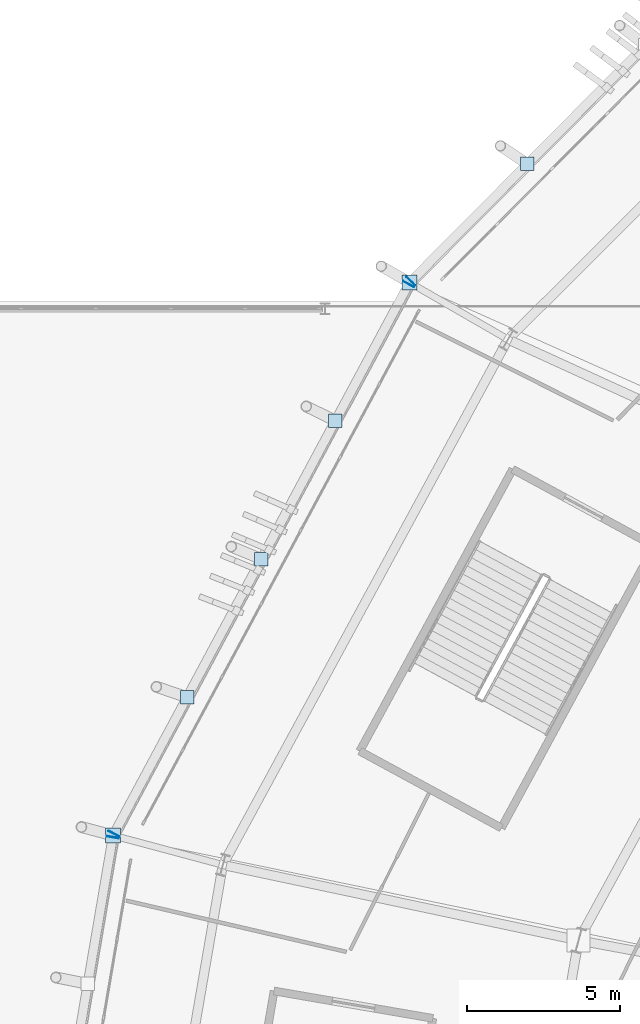
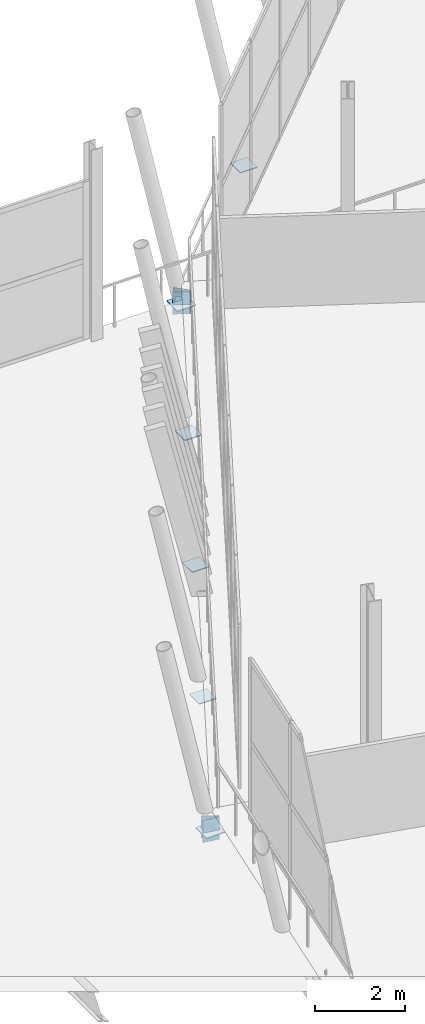
# One storey, part 100 of 168: 10 plates.
"""IFC4 building model written with IfcOpenShell, lengths in metres."""

from ifc_helpers import new_model, si_unit, direction, frame, origin, origin_2d, place, context, subcontext, project, spatial, rectangle, extrude, material, layer, layer_set, type_object, element, save


model = new_model("IFC4")

# Units and contexts
model_context = context("Model", 3, precision=1e-05, world=origin(), true_north=direction((0.0, 1.0)))
body_context = subcontext(model_context, "Body", "Model", "MODEL_VIEW")
ifc_project = project(units=[si_unit("LENGTHUNIT", "METRE"), si_unit("AREAUNIT", "SQUARE_METRE"), si_unit("VOLUMEUNIT", "CUBIC_METRE"), si_unit("PLANEANGLEUNIT", "RADIAN"), si_unit("MASSUNIT", "GRAM", prefix="KILO")], contexts=[model_context])

# Site, building, storey
site_placement = place(None, origin())
site = spatial("IfcSite", under=ifc_project, at=site_placement, CompositionType="ELEMENT")
building_placement = place(site_placement, origin())
building = spatial("IfcBuilding", under=site, at=building_placement, Name="Zlatoyarsky Gate Stadium", CompositionType="ELEMENT")
storey_placement = place(building_placement, frame((0.0, 0.0, 15.60009765625)))
storey = spatial("IfcBuildingStorey", under=building, at=storey_placement, Name="L03", CompositionType="ELEMENT", Elevation=15.60009765625)

# Plates
ifc_material = material(Name="Steel S355", Category="steel")
ifc_layer = layer(ifc_material, 0.02392578125)
ifc_layer_set = layer_set([ifc_layer], Name="Steel S355")
plate_type = type_object("IfcPlateType", Name="STEEL HOLLOW CHORD SPLICE SHEET 24", PredefinedType="SHEET", material=ifc_layer_set)
for number, where, z_axis, x_axis, name in (
    (1, (27.295654296875, 117.393798828125, -0.830078125), (0.0, 0.0, 1.0), (-0.70472967068, -0.709475927191, 0.0), "Hollow end cap ND-SP1 CAP-L03-SPD-09 B"),
    (2, (27.22509765625, 117.298095703125, -0.830078125), (0.0, 0.0, 1.0), (-0.472555712276, -0.881300799271, 0.0), "Hollow end cap ND-SP1 CAP-L03-SPD-10 A"),
    (3, (17.62109375, 99.38720703125, -0.830078125), (0.0, 0.0, 1.0), (-0.472555712276, -0.881300799271, 0.0), "Hollow end cap ND-SP1 CAP-L03-SPD-10 B"),
):
    element("IfcPlate", number, at=place(storey_placement, frame(where, z_axis=z_axis, x_axis=x_axis)), inside=storey, type_object=plate_type, Name=name, PredefinedType="SHEET", context=body_context, shape_type="SweptSolid", body=[
        extrude(rectangle(XDim=0.02392578125, YDim=0.39990234375, at=origin_2d()), origin(), (0.0, 0.0, 1.0), 0.60009765625),
    ])
plate_1_placement = place(storey_placement, frame((27.25341796875, 117.35107421875, -0.592041015625), z_axis=(0.0, 0.0, 1.0), x_axis=(1.0, 0.0, 0.0)))
element("IfcPlate", 4, at=plate_1_placement, inside=storey, type_object=plate_type, Name="Node closure plate ND-SP1 NCAP-L03-RSTR-10", PredefinedType="SHEET", context=body_context, shape_type="SweptSolid", body=[
    extrude(rectangle(XDim=0.47998046875, YDim=0.47998046875, at=origin_2d()), origin(), (0.0, 0.0, 1.0), 0.02392578125),
])
plate_2_placement = place(storey_placement, frame((17.582763671875, 99.275390625, -0.830078125), z_axis=(0.0, 0.0, 1.0), x_axis=(-0.167999444579, -0.985787089904, 0.0)))
element("IfcPlate", 5, at=plate_2_placement, inside=storey, type_object=plate_type, Name="Hollow end cap ND-SP1 CAP-L03-SPD-11 A", PredefinedType="SHEET", context=body_context, shape_type="SweptSolid", body=[
    extrude(rectangle(XDim=0.02392578125, YDim=0.39990234375, at=origin_2d()), origin(), (0.0, 0.0, 1.0), 0.60009765625),
])
plate_3_placement = place(storey_placement, frame((17.5927734375, 99.33447265625, -0.592041015625), z_axis=(0.0, 0.0, 1.0), x_axis=(1.0, 0.0, 0.0)))
element("IfcPlate", 6, at=plate_3_placement, inside=storey, type_object=plate_type, Name="Node closure plate ND-SP1 NCAP-L03-RSTR-11", PredefinedType="SHEET", context=body_context, shape_type="SweptSolid", body=[
    extrude(rectangle(XDim=0.47998046875, YDim=0.47998046875, at=origin_2d()), origin(), (0.0, 0.0, 1.0), 0.02392578125),
])
for number, where, z_axis, x_axis, name in (
    (7, (31.09521484375, 121.218994140625, -0.5419921875), (0.0, 0.0, 1.0), (1.0, 0.0, 0.0), "Node closure plate ND-SP1 NCAP-RIB-09-3-1T"),
    (8, (24.838134765625, 112.846923828125, -0.5419921875), (0.0, 0.0, 1.0), (1.0, 0.0, 0.0), "Node closure plate ND-SP1 NCAP-RIB-10-1-1T"),
    (9, (22.423095703125, 108.3427734375, -0.5419921875), (0.0, 0.0, 1.0), (1.0, 0.0, 0.0), "Node closure plate ND-SP1 NCAP-RIB-10-2-1T"),
    (10, (20.008056640625, 103.838623046875, -0.5419921875), (0.0, 0.0, 1.0), (1.0, 0.0, 0.0), "Node closure plate ND-SP1 NCAP-RIB-10-3-1T"),
):
    element("IfcPlate", number, at=place(storey_placement, frame(where, z_axis=z_axis, x_axis=x_axis)), inside=storey, type_object=plate_type, Name=name, PredefinedType="SHEET", context=body_context, shape_type="SweptSolid", body=[
        extrude(rectangle(XDim=0.43994140625, YDim=0.43994140625, at=origin_2d()), origin(), (0.0, 0.0, 1.0), 0.02392578125),
    ])

save(model, "model.ifc")
